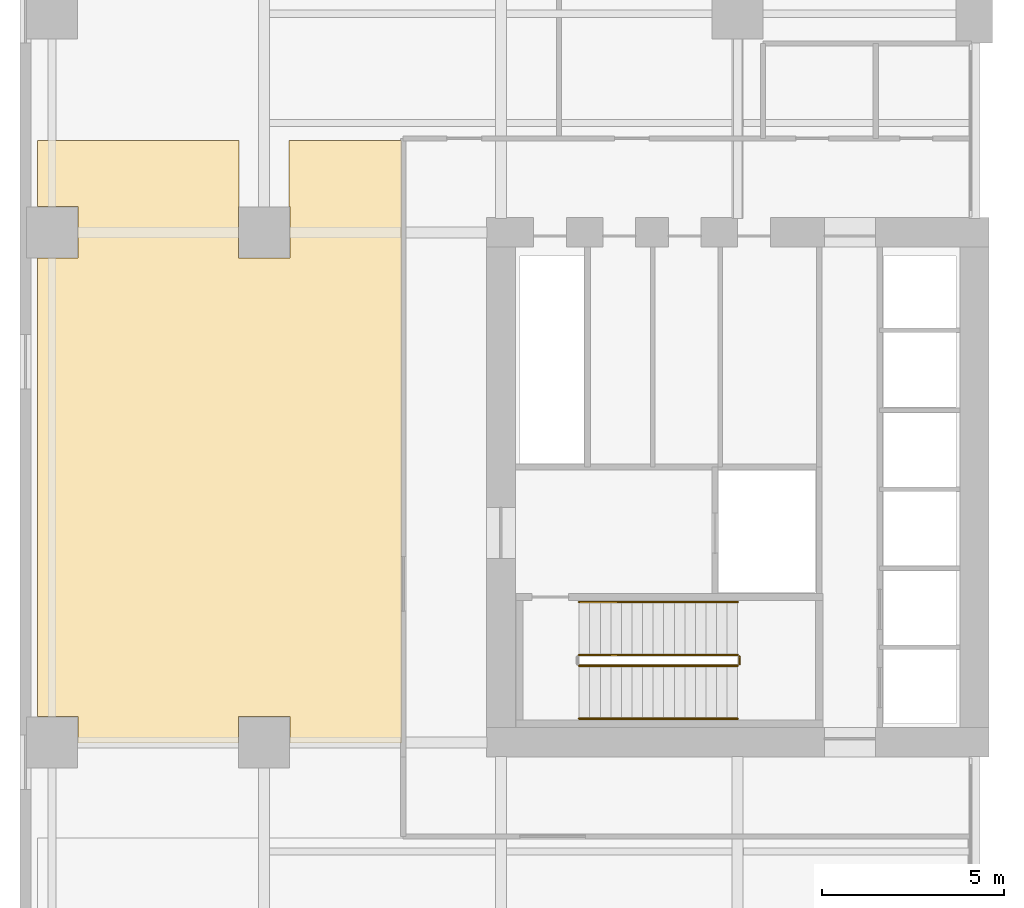
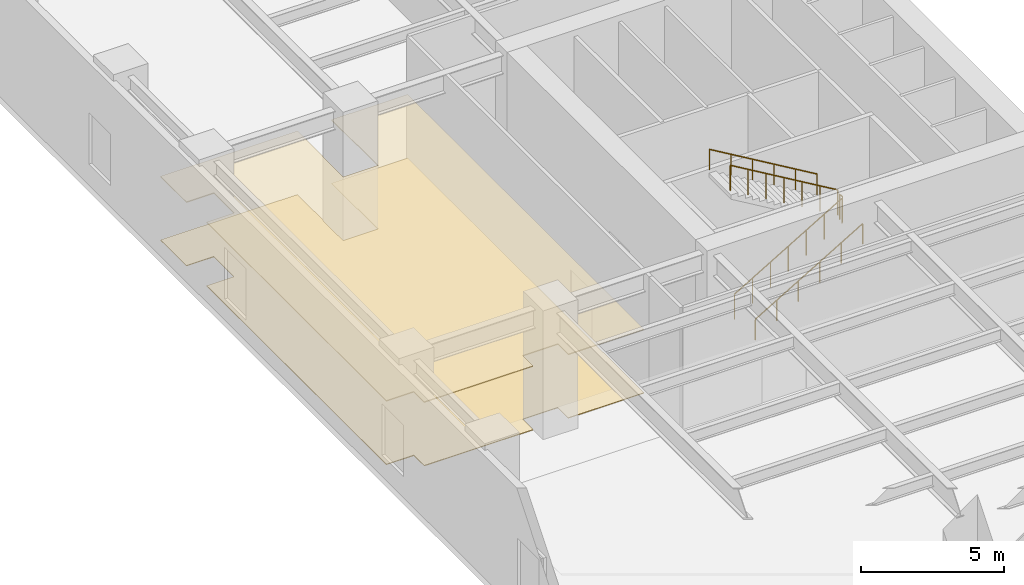
# One storey, part 15 of 18: 5 railings, 2 coverings.
"""IFC4 building model written with IfcOpenShell, lengths in metres."""

from ifc_helpers import new_model, si_unit, direction, frame, origin, origin_2d, place, context, subcontext, project, spatial, polyline, circle, outline, extrude, material, layer, layer_set, type_object, element, save


model = new_model("IFC4")

# Units and contexts
model_context = context("Model", 3, precision=1e-05, world=origin(), true_north=direction((0.0, 1.0)))
body_context = subcontext(model_context, "Body", "Model", "MODEL_VIEW")
ifc_project = project(units=[si_unit("LENGTHUNIT", "METRE"), si_unit("AREAUNIT", "SQUARE_METRE"), si_unit("VOLUMEUNIT", "CUBIC_METRE"), si_unit("PLANEANGLEUNIT", "RADIAN"), si_unit("MASSUNIT", "GRAM", prefix="KILO")], contexts=[model_context])

# Site, building, storey
site_placement = place(None, origin())
site = spatial("IfcSite", under=ifc_project, at=site_placement, CompositionType="ELEMENT")
building_placement = place(site_placement, origin())
building = spatial("IfcBuilding", under=site, at=building_placement, Name="Putna Gate Headquarters", CompositionType="ELEMENT")
storey_placement = place(building_placement, frame((0.0, 0.0, 11.5)))
storey = spatial("IfcBuildingStorey", under=building, at=storey_placement, Name="L02", CompositionType="ELEMENT", Elevation=11.5)

# Coverings
ifc_material_1 = material(Name="Perforated mineral-fibre acoustic ceiling tile")
ifc_layer_1 = layer(ifc_material_1, 0.0400390625)
ifc_layer_set_1 = layer_set([ifc_layer_1], Name="Perforated mineral-fibre acoustic ceiling tile")
covering_type_1 = type_object("IfcCoveringType", Name="COV-ACOUSTIC-CEILING", PredefinedType="CEILING", material=ifc_layer_set_1)
covering_1_placement = place(storey_placement, frame((0.0, 0.0, 2.7099609375)))
element("IfcCovering", 1, at=covering_1_placement, inside=storey, type_object=covering_type_1, Name="L02 Acoustic Ceiling Covering 2", PredefinedType="CEILING", context=body_context, shape_type="SweptSolid", body=[
    extrude(outline(polyline([(10.27001953125, 35.52001953125), (7.18798828125, 35.52001953125), (7.18798828125, 33.7080078125), (7.2080078125, 33.7080078125), (7.2080078125, 32.2919921875), (5.7919921875, 32.2919921875), (5.7919921875, 33.7080078125), (5.81201171875, 33.7080078125), (5.81201171875, 35.52001953125), (0.280029296875, 35.52001953125), (0.280029296875, 33.7080078125), (1.387939453125, 33.7080078125), (1.387939453125, 32.2919921875), (0.280029296875, 32.2919921875), (0.280029296875, 19.7080078125), (1.387939453125, 19.7080078125), (1.387939453125, 18.97998046875), (5.7919921875, 18.97998046875), (5.7919921875, 19.7080078125), (7.2080078125, 19.7080078125), (7.2080078125, 18.97998046875), (10.27001953125, 18.97998046875), (10.27001953125, 35.52001953125)])), origin(), (0.0, 0.0, 1.0), 0.0400390625),
])
ifc_material_2 = material(Name="Calcium-sulphate raised access floor finish")
ifc_layer_2 = layer(ifc_material_2, 0.030029296875)
ifc_layer_set_2 = layer_set([ifc_layer_2], Name="Calcium-sulphate raised access floor finish")
covering_type_2 = type_object("IfcCoveringType", Name="COV-RAISED-FLOORING", PredefinedType="FLOORING", material=ifc_layer_set_2)
covering_2_placement = place(storey_placement, origin())
element("IfcCovering", 2, at=covering_2_placement, inside=storey, type_object=covering_type_2, Name="L02 Raised Access Floor Covering 2", PredefinedType="FLOORING", context=body_context, shape_type="SweptSolid", body=[
    extrude(outline(polyline([(10.27001953125, 35.52001953125), (7.18798828125, 35.52001953125), (7.18798828125, 33.7080078125), (7.2080078125, 33.7080078125), (7.2080078125, 32.2919921875), (5.7919921875, 32.2919921875), (5.7919921875, 33.7080078125), (5.81201171875, 33.7080078125), (5.81201171875, 35.52001953125), (0.280029296875, 35.52001953125), (0.280029296875, 33.7080078125), (1.387939453125, 33.7080078125), (1.387939453125, 32.2919921875), (0.280029296875, 32.2919921875), (0.280029296875, 19.7080078125), (1.387939453125, 19.7080078125), (1.387939453125, 18.97998046875), (5.7919921875, 18.97998046875), (5.7919921875, 19.7080078125), (7.2080078125, 19.7080078125), (7.2080078125, 18.97998046875), (10.27001953125, 18.97998046875), (10.27001953125, 35.52001953125)])), origin(), (0.0, 0.0, 1.0), 0.030029296875),
])

# Railings
ifc_material_3 = material(Name="Powder-coated steel stair guardrail", Category="steel")
railing_type_1 = type_object("IfcRailingType", Name="RAIL-STAIR-GUARD-1100", PredefinedType="GUARDRAIL", material=ifc_material_3)
railing_1_placement = place(storey_placement, frame((15.14990234375, 21.10009765625, 0.171875)))
element("IfcRailing", 3, at=railing_1_placement, inside=storey, type_object=railing_type_1, Name="L02 ST1 stair guard 1", PredefinedType="GUARDRAIL", context=body_context, shape_type="SweptSolid", body=[
    extrude(circle(Radius=0.02392578125, at=origin_2d()), frame((0.0, 0.0, 1.076171875), z_axis=(0.860266436404, 0.0, 0.509844739501), x_axis=(0.0, 1.0, 0.0)), (0.0, 0.0, 1.0), 5.056640625),
    extrude(circle(Radius=0.02099609375, at=origin_2d()), origin(), (0.0, 0.0, 1.0), 1.052001953125),
    extrude(circle(Radius=0.02099609375, at=origin_2d()), frame((0.72509765625, 0.0, 0.4296875)), (0.0, 0.0, 1.0), 1.052001953125),
    extrude(circle(Radius=0.02099609375, at=origin_2d()), frame((1.449951171875, 0.0, 0.859375)), (0.0, 0.0, 1.0), 1.052001953125),
    extrude(circle(Radius=0.02099609375, at=origin_2d()), frame((2.175048828125, 0.0, 1.2890625)), (0.0, 0.0, 1.0), 1.052001953125),
    extrude(circle(Radius=0.02099609375, at=origin_2d()), frame((2.900146484375, 0.0, 1.71875)), (0.0, 0.0, 1.0), 1.052001953125),
    extrude(circle(Radius=0.02099609375, at=origin_2d()), frame((3.625, 0.0, 2.1484375)), (0.0, 0.0, 1.0), 1.052001953125),
    extrude(circle(Radius=0.02099609375, at=origin_2d()), frame((4.35009765625, 0.0, 2.578125)), (0.0, 0.0, 1.0), 1.052001953125),
])
railing_2_placement = place(storey_placement, frame((19.550048828125, 21.14990234375, 2.75)))
element("IfcRailing", 4, at=railing_2_placement, inside=storey, type_object=railing_type_1, Name="L02 ST1 stair guard 2", PredefinedType="GUARDRAIL", context=body_context, shape_type="SweptSolid", body=[
    extrude(circle(Radius=0.02392578125, at=origin_2d()), frame((0.0, 0.0, 1.076171875), z_axis=(0.0, 1.0, 0.0), x_axis=(-1.0, 0.0, 0.0)), (0.0, 0.0, 1.0), 0.2001953125),
    extrude(circle(Radius=0.02099609375, at=origin_2d()), origin(), (0.0, 0.0, 1.0), 1.052001953125),
    extrude(circle(Radius=0.02099609375, at=origin_2d()), frame((0.0, 0.2001953125, 0.0)), (0.0, 0.0, 1.0), 1.052001953125),
])
railing_3_placement = place(storey_placement, frame((19.5, 21.39990234375, 2.921875)))
element("IfcRailing", 5, at=railing_3_placement, inside=storey, type_object=railing_type_1, Name="L02 ST1 stair guard 3", PredefinedType="GUARDRAIL", context=body_context, shape_type="SweptSolid", body=[
    extrude(circle(Radius=0.02392578125, at=origin_2d()), frame((0.0, 0.0, 1.076171875), z_axis=(-0.860266436404, 0.0, 0.509844739501), x_axis=(0.0, -1.0, 0.0)), (0.0, 0.0, 1.0), 5.056640625),
    extrude(circle(Radius=0.02099609375, at=origin_2d()), origin(), (0.0, 0.0, 1.0), 1.052001953125),
    extrude(circle(Radius=0.02099609375, at=origin_2d()), frame((-0.72509765625, 0.0, 0.4296875)), (0.0, 0.0, 1.0), 1.052001953125),
    extrude(circle(Radius=0.02099609375, at=origin_2d()), frame((-1.449951171875, 0.0, 0.859375)), (0.0, 0.0, 1.0), 1.052001953125),
    extrude(circle(Radius=0.02099609375, at=origin_2d()), frame((-2.175048828125, 0.0, 1.2890625)), (0.0, 0.0, 1.0), 1.052001953125),
    extrude(circle(Radius=0.02099609375, at=origin_2d()), frame((-2.900146484375, 0.0, 1.71875)), (0.0, 0.0, 1.0), 1.052001953125),
    extrude(circle(Radius=0.02099609375, at=origin_2d()), frame((-3.625, 0.0, 2.1484375)), (0.0, 0.0, 1.0), 1.052001953125),
    extrude(circle(Radius=0.02099609375, at=origin_2d()), frame((-4.35009765625, 0.0, 2.578125)), (0.0, 0.0, 1.0), 1.052001953125),
])
ifc_material_4 = material(Name="Brushed stainless steel handrail", Category="steel")
railing_type_2 = type_object("IfcRailingType", Name="RAIL-STAIR-HAND-900", PredefinedType="HANDRAIL", material=ifc_material_4)
railing_4_placement = place(storey_placement, frame((15.14990234375, 19.64990234375, 0.171875)))
element("IfcRailing", 6, at=railing_4_placement, inside=storey, type_object=railing_type_2, Name="L02 ST1 stair handrail 1", PredefinedType="HANDRAIL", context=body_context, shape_type="SweptSolid", body=[
    extrude(circle(Radius=0.02392578125, at=origin_2d()), frame((0.0, 0.0, 0.8759765625), z_axis=(0.860266436404, 0.0, 0.509844739501), x_axis=(0.0, 1.0, 0.0)), (0.0, 0.0, 1.0), 5.056640625),
    extrude(circle(Radius=0.02099609375, at=origin_2d()), origin(), (0.0, 0.0, 1.0), 0.851806640625),
    extrude(circle(Radius=0.02099609375, at=origin_2d()), frame((0.8701171875, 0.0, 0.515625)), (0.0, 0.0, 1.0), 0.851806640625),
    extrude(circle(Radius=0.02099609375, at=origin_2d()), frame((1.739990234375, 0.0, 1.03125)), (0.0, 0.0, 1.0), 0.851806640625),
    extrude(circle(Radius=0.02099609375, at=origin_2d()), frame((2.610107421875, 0.0, 1.546875)), (0.0, 0.0, 1.0), 0.851806640625),
    extrude(circle(Radius=0.02099609375, at=origin_2d()), frame((3.47998046875, 0.0, 2.0625)), (0.0, 0.0, 1.0), 0.851806640625),
    extrude(circle(Radius=0.02099609375, at=origin_2d()), frame((4.35009765625, 0.0, 2.578125)), (0.0, 0.0, 1.0), 0.851806640625),
])
railing_5_placement = place(storey_placement, frame((19.5, 22.85009765625, 2.921875)))
element("IfcRailing", 7, at=railing_5_placement, inside=storey, type_object=railing_type_2, Name="L02 ST1 stair handrail 2", PredefinedType="HANDRAIL", context=body_context, shape_type="SweptSolid", body=[
    extrude(circle(Radius=0.02392578125, at=origin_2d()), frame((0.0, 0.0, 0.8759765625), z_axis=(-0.860266436404, 0.0, 0.509844739501), x_axis=(0.0, -1.0, 0.0)), (0.0, 0.0, 1.0), 5.056640625),
    extrude(circle(Radius=0.02099609375, at=origin_2d()), origin(), (0.0, 0.0, 1.0), 0.851806640625),
    extrude(circle(Radius=0.02099609375, at=origin_2d()), frame((-0.8701171875, 0.0, 0.515625)), (0.0, 0.0, 1.0), 0.851806640625),
    extrude(circle(Radius=0.02099609375, at=origin_2d()), frame((-1.739990234375, 0.0, 1.03125)), (0.0, 0.0, 1.0), 0.851806640625),
    extrude(circle(Radius=0.02099609375, at=origin_2d()), frame((-2.610107421875, 0.0, 1.546875)), (0.0, 0.0, 1.0), 0.851806640625),
    extrude(circle(Radius=0.02099609375, at=origin_2d()), frame((-3.47998046875, 0.0, 2.0625)), (0.0, 0.0, 1.0), 0.851806640625),
    extrude(circle(Radius=0.02099609375, at=origin_2d()), frame((-4.35009765625, 0.0, 2.578125)), (0.0, 0.0, 1.0), 0.851806640625),
])

save(model, "model.ifc")
